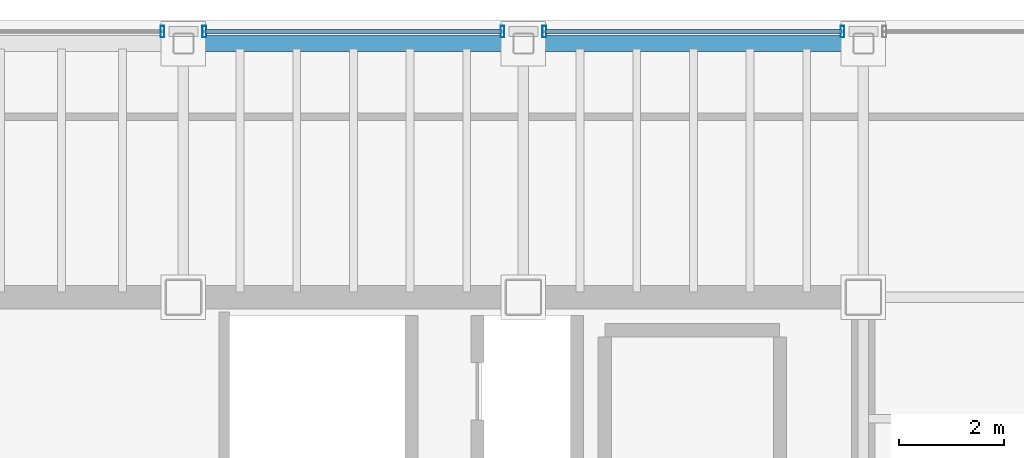
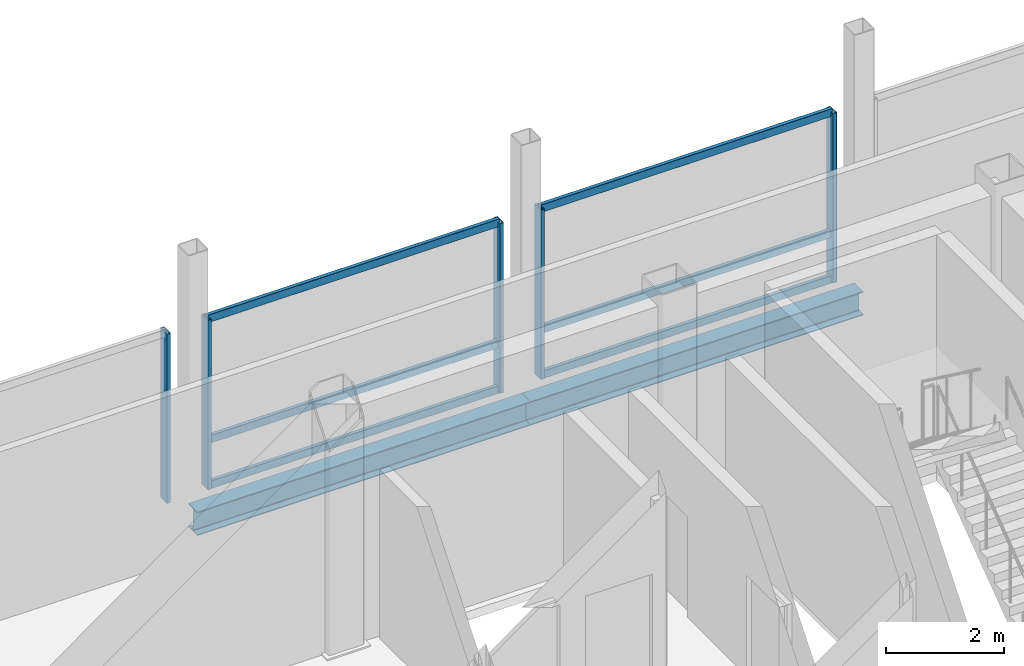
# One storey, part 11 of 17: 11 members, 2 beams, 3 elements without a shape of their own.
"""IFC4 building model written with IfcOpenShell, lengths in metres."""

from ifc_helpers import new_model, si_unit, direction, frame, origin, origin_2d, place, context, subcontext, project, spatial, hollow_rectangle, i_section, extrude, material, material_profile, profile_set, type_object, element, aggregate, save


model = new_model("IFC4")

# Units and contexts
model_context = context("Model", 3, precision=1e-05, world=origin(), true_north=direction((0.0, 1.0)))
body_context = subcontext(model_context, "Body", "Model", "MODEL_VIEW")
ifc_project = project(units=[si_unit("LENGTHUNIT", "METRE"), si_unit("AREAUNIT", "SQUARE_METRE"), si_unit("VOLUMEUNIT", "CUBIC_METRE"), si_unit("PLANEANGLEUNIT", "RADIAN"), si_unit("MASSUNIT", "GRAM", prefix="KILO")], contexts=[model_context])

# Site, building, storey
site_placement = place(None, origin())
site = spatial("IfcSite", under=ifc_project, at=site_placement, CompositionType="ELEMENT")
building_placement = place(site_placement, origin())
building = spatial("IfcBuilding", under=site, at=building_placement, Name="Noeulbin Bourse Tower", CompositionType="ELEMENT")
storey_placement = place(building_placement, frame((0.0, 0.0, 300.800048828125)))
storey = spatial("IfcBuildingStorey", under=building, at=storey_placement, Name="L75", CompositionType="ELEMENT", Elevation=300.800048828125)

# Beams
ifc_material_1 = material(Name="Steel S355", Category="steel")
ifc_material_profile_1 = material_profile(ifc_material_1, i_section(OverallWidth=0.300048828125, OverallDepth=0.488037109375, WebThickness=0.010986328125, FlangeThickness=0.01806640625, FilletRadius=0.02197265625, at=origin_2d()), Name="H-488x300x11x18", Category="LoadBearing")
ifc_profile_set_1 = profile_set([ifc_material_profile_1], Name="Steel S355")
beam_type = type_object("IfcBeamType", Name="BM-SPN-488", PredefinedType="SPANDREL", material=ifc_profile_set_1)
for number, where, z_axis, x_axis, name in (
    (1, (31.0, 43.14990234375, -0.424072265625), (1.0, 0.0, 0.0), (0.0, 1.0, 0.0), "North Spandrel L75-2"),
    (2, (37.5, 43.14990234375, -0.424072265625), (1.0, 0.0, 0.0), (0.0, 1.0, 0.0), "North Spandrel L75-3"),
):
    element("IfcBeam", number, at=place(storey_placement, frame(where, z_axis=z_axis, x_axis=x_axis)), inside=storey, type_object=beam_type, Name=name, PredefinedType="SPANDREL", context=body_context, shape_type="SweptSolid", body=[
        extrude(i_section(OverallWidth=0.300048828125, OverallDepth=0.488037109375, WebThickness=0.010986328125, FlangeThickness=0.01806640625, FilletRadius=0.02197265625, at=origin_2d()), origin(), (0.0, 0.0, 1.0), 6.5),
    ])

# Curtain wall, member
ifc_material_2 = material(Name="High-Selectivity Low-Iron Glazing", Category="glass")
curtain_wall_type = type_object("IfcCurtainWallType", Name="CW-SYS-4", PredefinedType="NOTDEFINED", material=ifc_material_2)
curtain_wall_1_placement = place(storey_placement, origin())
curtain_wall_1 = element("IfcCurtainWall", 3, at=curtain_wall_1_placement, inside=storey, type_object=curtain_wall_type, Name="Unitised Curtain Wall CW-L75-N-S2", PredefinedType="NOTDEFINED")
ifc_material_3 = material(Name="Anodised Aluminium 6063-T6", Category="aluminium")
ifc_material_profile_2 = material_profile(ifc_material_3, hollow_rectangle(XDim=0.074951171875, YDim=0.219970703125, WallThickness=0.0048828125, InnerFilletRadius=0.00244140625, OuterFilletRadius=0.0048828125, at=origin_2d()), Name="ALU-MULL-75x220x5", Category="LoadBearing")
ifc_profile_set_2 = profile_set([ifc_material_profile_2], Name="Anodised Aluminium 6063-T6")
member_type_1 = type_object("IfcMemberType", Name="CW-SYS-4-MUL", PredefinedType="MULLION", material=ifc_profile_set_2)
member_1_placement = place(storey_placement, frame((30.60009765625, 43.3798828125, -0.02001953125), z_axis=(0.0, 0.0, 1.0), x_axis=(1.0, 0.0, 0.0)))
member_1 = element("IfcMember", 4, at=member_1_placement, type_object=member_type_1, Name="Curtain Wall Mullion CW-L75-N-S2-M01", PredefinedType="MULLION", context=body_context, shape_type="SweptSolid", body=[
    extrude(hollow_rectangle(XDim=0.074951171875, YDim=0.219970703125, WallThickness=0.0048828125, InnerFilletRadius=0.00244140625, OuterFilletRadius=0.0048828125, at=origin_2d()), origin(), (0.0, 0.0, 1.0), 3.5),
])
aggregate(curtain_wall_1, [member_1])

# Curtain wall, members
curtain_wall_2_placement = place(storey_placement, origin())
curtain_wall_2 = element("IfcCurtainWall", 5, at=curtain_wall_2_placement, inside=storey, type_object=curtain_wall_type, Name="Unitised Curtain Wall CW-L75-N-S3", PredefinedType="NOTDEFINED")
member_2_placement = place(storey_placement, frame((31.39990234375, 43.3798828125, -0.02001953125), z_axis=(0.0, 0.0, 1.0), x_axis=(1.0, 0.0, 0.0)))
member_2 = element("IfcMember", 6, at=member_2_placement, type_object=member_type_1, Name="Curtain Wall Mullion CW-L75-N-S3-M00", PredefinedType="MULLION", context=body_context, shape_type="SweptSolid", body=[
    extrude(hollow_rectangle(XDim=0.074951171875, YDim=0.219970703125, WallThickness=0.0048828125, InnerFilletRadius=0.00244140625, OuterFilletRadius=0.0048828125, at=origin_2d()), origin(), (0.0, 0.0, 1.0), 3.5),
])
member_3_placement = place(storey_placement, frame((37.10009765625, 43.3798828125, -0.02001953125), z_axis=(0.0, 0.0, 1.0), x_axis=(1.0, 0.0, 0.0)))
member_3 = element("IfcMember", 7, at=member_3_placement, type_object=member_type_1, Name="Curtain Wall Mullion CW-L75-N-S3-M01", PredefinedType="MULLION", context=body_context, shape_type="SweptSolid", body=[
    extrude(hollow_rectangle(XDim=0.074951171875, YDim=0.219970703125, WallThickness=0.0048828125, InnerFilletRadius=0.00244140625, OuterFilletRadius=0.0048828125, at=origin_2d()), origin(), (0.0, 0.0, 1.0), 3.5),
])

curtain_wall_3_placement = place(storey_placement, origin())
curtain_wall_3 = element("IfcCurtainWall", 8, at=curtain_wall_3_placement, inside=storey, type_object=curtain_wall_type, Name="Unitised Curtain Wall CW-L75-N-S4", PredefinedType="NOTDEFINED")
member_4_placement = place(storey_placement, frame((37.89990234375, 43.3798828125, -0.02001953125), z_axis=(0.0, 0.0, 1.0), x_axis=(1.0, 0.0, 0.0)))
member_4 = element("IfcMember", 9, at=member_4_placement, type_object=member_type_1, Name="Curtain Wall Mullion CW-L75-N-S4-M00", PredefinedType="MULLION", context=body_context, shape_type="SweptSolid", body=[
    extrude(hollow_rectangle(XDim=0.074951171875, YDim=0.219970703125, WallThickness=0.0048828125, InnerFilletRadius=0.00244140625, OuterFilletRadius=0.0048828125, at=origin_2d()), origin(), (0.0, 0.0, 1.0), 3.5),
])
member_5_placement = place(storey_placement, frame((43.60009765625, 43.3798828125, -0.02001953125), z_axis=(0.0, 0.0, 1.0), x_axis=(1.0, 0.0, 0.0)))
member_5 = element("IfcMember", 10, at=member_5_placement, type_object=member_type_1, Name="Curtain Wall Mullion CW-L75-N-S4-M01", PredefinedType="MULLION", context=body_context, shape_type="SweptSolid", body=[
    extrude(hollow_rectangle(XDim=0.074951171875, YDim=0.219970703125, WallThickness=0.0048828125, InnerFilletRadius=0.00244140625, OuterFilletRadius=0.0048828125, at=origin_2d()), origin(), (0.0, 0.0, 1.0), 3.5),
])

# Member
ifc_material_profile_3 = material_profile(ifc_material_3, hollow_rectangle(XDim=0.074951171875, YDim=0.159912109375, WallThickness=0.0048828125, InnerFilletRadius=0.00244140625, OuterFilletRadius=0.0048828125, at=origin_2d()), Name="ALU-TRAN-75x160x5", Category="LoadBearing")
ifc_profile_set_3 = profile_set([ifc_material_profile_3], Name="Anodised Aluminium 6063-T6")
member_type_2 = type_object("IfcMemberType", Name="CW-SYS-4-TRN", PredefinedType="USERDEFINED", material=ifc_profile_set_3)
member_6_placement = place(storey_placement, frame((31.409912109375, 43.3798828125, 0.010009765625), z_axis=(1.0, 0.0, 0.0), x_axis=(0.0, 1.0, 0.0)))
member_6 = element("IfcMember", 11, at=member_6_placement, type_object=member_type_2, Name="Curtain Wall Transom CW-L75-N-S3-T00", ObjectType="TRANSOM", PredefinedType="USERDEFINED", context=body_context, shape_type="SweptSolid", body=[
    extrude(hollow_rectangle(XDim=0.074951171875, YDim=0.159912109375, WallThickness=0.0048828125, InnerFilletRadius=0.00244140625, OuterFilletRadius=0.0048828125, at=origin_2d()), origin(), (0.0, 0.0, 1.0), 5.68017578125),
])

member_7_placement = place(storey_placement, frame((31.409912109375, 43.3798828125, 0.949951171875), z_axis=(1.0, 0.0, 0.0), x_axis=(0.0, 1.0, 0.0)))
member_7 = element("IfcMember", 12, at=member_7_placement, type_object=member_type_2, Name="Curtain Wall Transom CW-L75-N-S3-T01", ObjectType="TRANSOM", PredefinedType="USERDEFINED", context=body_context, shape_type="SweptSolid", body=[
    extrude(hollow_rectangle(XDim=0.074951171875, YDim=0.159912109375, WallThickness=0.0048828125, InnerFilletRadius=0.00244140625, OuterFilletRadius=0.0048828125, at=origin_2d()), origin(), (0.0, 0.0, 1.0), 5.68017578125),
])

member_8_placement = place(storey_placement, frame((31.409912109375, 43.3798828125, 3.449951171875), z_axis=(1.0, 0.0, 0.0), x_axis=(0.0, 1.0, 0.0)))
member_8 = element("IfcMember", 13, at=member_8_placement, type_object=member_type_2, Name="Curtain Wall Transom CW-L75-N-S3-T02", ObjectType="TRANSOM", PredefinedType="USERDEFINED", context=body_context, shape_type="SweptSolid", body=[
    extrude(hollow_rectangle(XDim=0.074951171875, YDim=0.159912109375, WallThickness=0.0048828125, InnerFilletRadius=0.00244140625, OuterFilletRadius=0.0048828125, at=origin_2d()), origin(), (0.0, 0.0, 1.0), 5.68017578125),
])

aggregate(curtain_wall_2, [member_2, member_3, member_6, member_7, member_8])

member_9_placement = place(storey_placement, frame((37.909912109375, 43.3798828125, 0.010009765625), z_axis=(1.0, 0.0, 0.0), x_axis=(0.0, 1.0, 0.0)))
member_9 = element("IfcMember", 14, at=member_9_placement, type_object=member_type_2, Name="Curtain Wall Transom CW-L75-N-S4-T00", ObjectType="TRANSOM", PredefinedType="USERDEFINED", context=body_context, shape_type="SweptSolid", body=[
    extrude(hollow_rectangle(XDim=0.074951171875, YDim=0.159912109375, WallThickness=0.0048828125, InnerFilletRadius=0.00244140625, OuterFilletRadius=0.0048828125, at=origin_2d()), origin(), (0.0, 0.0, 1.0), 5.68017578125),
])

member_10_placement = place(storey_placement, frame((37.909912109375, 43.3798828125, 0.949951171875), z_axis=(1.0, 0.0, 0.0), x_axis=(0.0, 1.0, 0.0)))
member_10 = element("IfcMember", 15, at=member_10_placement, type_object=member_type_2, Name="Curtain Wall Transom CW-L75-N-S4-T01", ObjectType="TRANSOM", PredefinedType="USERDEFINED", context=body_context, shape_type="SweptSolid", body=[
    extrude(hollow_rectangle(XDim=0.074951171875, YDim=0.159912109375, WallThickness=0.0048828125, InnerFilletRadius=0.00244140625, OuterFilletRadius=0.0048828125, at=origin_2d()), origin(), (0.0, 0.0, 1.0), 5.68017578125),
])

member_11_placement = place(storey_placement, frame((37.909912109375, 43.3798828125, 3.449951171875), z_axis=(1.0, 0.0, 0.0), x_axis=(0.0, 1.0, 0.0)))
member_11 = element("IfcMember", 16, at=member_11_placement, type_object=member_type_2, Name="Curtain Wall Transom CW-L75-N-S4-T02", ObjectType="TRANSOM", PredefinedType="USERDEFINED", context=body_context, shape_type="SweptSolid", body=[
    extrude(hollow_rectangle(XDim=0.074951171875, YDim=0.159912109375, WallThickness=0.0048828125, InnerFilletRadius=0.00244140625, OuterFilletRadius=0.0048828125, at=origin_2d()), origin(), (0.0, 0.0, 1.0), 5.68017578125),
])

aggregate(curtain_wall_3, [member_4, member_5, member_9, member_10, member_11])

save(model, "model.ifc")
